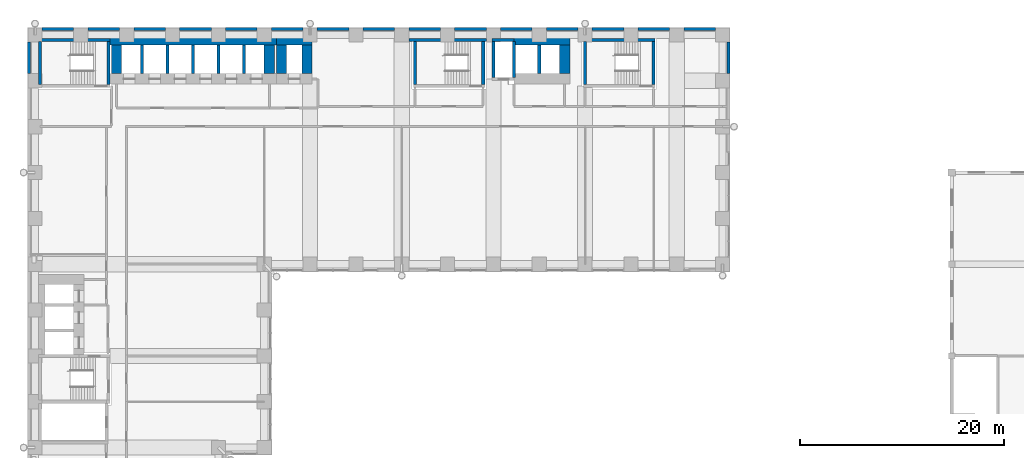
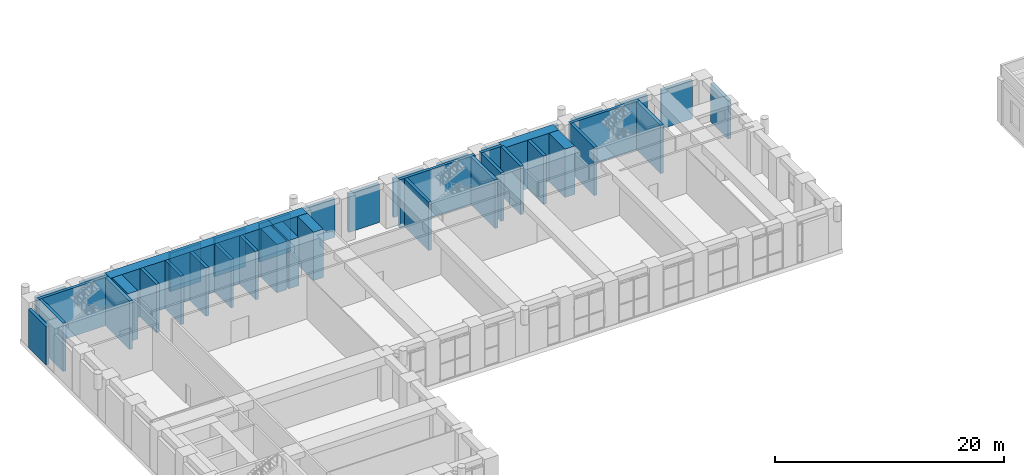
# One storey, part 25 of 35: 43 walls.
"""IFC4 building model written with IfcOpenShell, lengths in metres."""

from ifc_helpers import new_model, si_unit, direction, frame, frame_2d, origin, place, context, subcontext, project, spatial, rectangle, extrude, material, layer, layer_set, type_object, element, save


model = new_model("IFC4")

# Units and contexts
model_context = context("Model", 3, precision=1e-05, world=origin(), true_north=direction((0.0, 1.0)))
body_context = subcontext(model_context, "Body", "Model", "MODEL_VIEW")
ifc_project = project(units=[si_unit("LENGTHUNIT", "METRE"), si_unit("AREAUNIT", "SQUARE_METRE"), si_unit("VOLUMEUNIT", "CUBIC_METRE"), si_unit("PLANEANGLEUNIT", "RADIAN"), si_unit("MASSUNIT", "GRAM", prefix="KILO")], contexts=[model_context])

# Site, building, storey
site_placement = place(None, origin())
site = spatial("IfcSite", under=ifc_project, at=site_placement, CompositionType="ELEMENT")
building_placement = place(site_placement, origin())
building = spatial("IfcBuilding", under=site, at=building_placement, Name="Firuza Court", CompositionType="ELEMENT")
storey_placement = place(building_placement, frame((0.0, 0.0, 24.0)))
storey = spatial("IfcBuildingStorey", under=building, at=storey_placement, Name="L04", CompositionType="ELEMENT", Elevation=24.0)

# Walls
ifc_material_1 = material(Name="Concrete C60/75", Category="concrete")
ifc_layer_1 = layer(ifc_material_1, 1.0)
ifc_layer_set_1 = layer_set([ifc_layer_1], Name="Concrete C60/75")
wall_type_1 = type_object("IfcWallType", Name="Core wall 1000 C60/75", PredefinedType="SHEAR", material=ifc_layer_set_1)
wall_1_placement = place(storey_placement, frame((7.35009765625, 58.0, -0.449951171875), z_axis=(0.0, 0.0, 1.0), x_axis=(1.0, 0.0, 0.0)))
element("IfcWall", 1, at=wall_1_placement, inside=storey, type_object=wall_type_1, Name="Core wall lift shaft L04", PredefinedType="SHEAR", context=body_context, shape_type="SweptSolid", body=[
    extrude(rectangle(XDim=16.349853515625, YDim=1.0, at=frame_2d((8.1748046875, 0.0))), origin(), (0.0, 0.0, 1.0), 5.14990234375),
])
for number, where, z_axis, x_axis, name in (
    (2, (8.0, 54.699951171875, -0.449951171875), (0.0, 0.0, 1.0), (0.0, 1.0, 0.0), "Core wall lift shaft L04"),
    (3, (23.0, 54.699951171875, -0.449951171875), (0.0, 0.0, 1.0), (0.0, 1.0, 0.0), "Core wall lift shaft L04"),
):
    element("IfcWall", number, at=place(storey_placement, frame(where, z_axis=z_axis, x_axis=x_axis)), inside=storey, type_object=wall_type_1, Name=name, PredefinedType="SHEAR", context=body_context, shape_type="SweptSolid", body=[
        extrude(rectangle(XDim=2.800048828125, YDim=1.0, at=frame_2d((1.39990234375, 0.0))), origin(), (0.0, 0.0, 1.0), 5.14990234375),
    ])
wall_2_placement = place(storey_placement, frame((23.699951171875, 58.0, -0.449951171875), z_axis=(0.0, 0.0, 1.0), x_axis=(1.0, 0.0, 0.0)))
element("IfcWall", 4, at=wall_2_placement, inside=storey, type_object=wall_type_1, Name="Core wall lift shaft L04", PredefinedType="SHEAR", context=body_context, shape_type="SweptSolid", body=[
    extrude(rectangle(XDim=3.5, YDim=1.0, at=frame_2d((1.75, 0.0))), origin(), (0.0, 0.0, 1.0), 5.14990234375),
])
for number, where, z_axis, x_axis, name in (
    (5, (24.199951171875, 54.699951171875, -0.449951171875), (0.0, 0.0, 1.0), (0.0, 1.0, 0.0), "Core wall lift shaft L04"),
    (6, (26.699951171875, 54.699951171875, -0.449951171875), (0.0, 0.0, 1.0), (0.0, 1.0, 0.0), "Core wall lift shaft L04"),
):
    element("IfcWall", number, at=place(storey_placement, frame(where, z_axis=z_axis, x_axis=x_axis)), inside=storey, type_object=wall_type_1, Name=name, PredefinedType="SHEAR", context=body_context, shape_type="SweptSolid", body=[
        extrude(rectangle(XDim=2.800048828125, YDim=1.0, at=frame_2d((1.39990234375, 0.0))), origin(), (0.0, 0.0, 1.0), 5.14990234375),
    ])
wall_3_placement = place(storey_placement, frame((47.0, 58.0, -0.449951171875), z_axis=(0.0, 0.0, 1.0), x_axis=(1.0, 0.0, 0.0)))
element("IfcWall", 7, at=wall_3_placement, inside=storey, type_object=wall_type_1, Name="Core wall lift shaft L04", PredefinedType="SHEAR", context=body_context, shape_type="SweptSolid", body=[
    extrude(rectangle(XDim=5.5, YDim=1.0, at=frame_2d((2.75, 0.0))), origin(), (0.0, 0.0, 1.0), 5.14990234375),
])
wall_4_placement = place(storey_placement, frame((52.0, 54.699951171875, -0.449951171875), z_axis=(0.0, 0.0, 1.0), x_axis=(0.0, 1.0, 0.0)))
element("IfcWall", 8, at=wall_4_placement, inside=storey, type_object=wall_type_1, Name="Core wall lift shaft L04", PredefinedType="SHEAR", context=body_context, shape_type="SweptSolid", body=[
    extrude(rectangle(XDim=2.800048828125, YDim=1.0, at=frame_2d((1.39990234375, 0.0))), origin(), (0.0, 0.0, 1.0), 5.14990234375),
])
ifc_layer_2 = layer(ifc_material_1, 0.300048828125)
ifc_layer_set_2 = layer_set([ifc_layer_2], Name="Concrete C60/75")
wall_type_2 = type_object("IfcWallType", Name="Core wall 300 C60/75", PredefinedType="SHEAR", material=ifc_layer_set_2)
wall_5_placement = place(storey_placement, frame((0.35009765625, 58.0, -0.449951171875), z_axis=(0.0, 0.0, 1.0), x_axis=(1.0, 0.0, 0.0)))
element("IfcWall", 9, at=wall_5_placement, inside=storey, type_object=wall_type_2, Name="Core wall stair L04", PredefinedType="SHEAR", context=body_context, shape_type="SweptSolid", body=[
    extrude(rectangle(XDim=7.0, YDim=0.300048828125, at=frame_2d((3.5, 0.0))), origin(), (0.0, 0.0, 1.0), 5.14990234375),
])
for number, where, z_axis, x_axis, name in (
    (10, (0.5, 53.64990234375, -0.449951171875), (0.0, 0.0, 1.0), (0.0, 1.0, 0.0), "Core wall stair L04"),
    (11, (7.199951171875, 53.64990234375, -0.449951171875), (0.0, 0.0, 1.0), (0.0, 1.0, 0.0), "Core wall stair L04"),
):
    element("IfcWall", number, at=place(storey_placement, frame(where, z_axis=z_axis, x_axis=x_axis)), inside=storey, type_object=wall_type_2, Name=name, PredefinedType="SHEAR", context=body_context, shape_type="SweptSolid", body=[
        extrude(rectangle(XDim=4.2001953125, YDim=0.300048828125, at=frame_2d((2.10009765625, 0.0))), origin(), (0.0, 0.0, 1.0), 5.14990234375),
    ])
for number, where, z_axis, x_axis, name in (
    (12, (10.5, 54.699951171875, -0.449951171875), (0.0, 0.0, 1.0), (0.0, 1.0, 0.0), "Core wall lift shaft L04"),
    (13, (13.0, 54.699951171875, -0.449951171875), (0.0, 0.0, 1.0), (0.0, 1.0, 0.0), "Core wall lift shaft L04"),
    (14, (15.5, 54.699951171875, -0.449951171875), (0.0, 0.0, 1.0), (0.0, 1.0, 0.0), "Core wall lift shaft L04"),
    (15, (18.0, 54.699951171875, -0.449951171875), (0.0, 0.0, 1.0), (0.0, 1.0, 0.0), "Core wall lift shaft L04"),
    (16, (20.5, 54.699951171875, -0.449951171875), (0.0, 0.0, 1.0), (0.0, 1.0, 0.0), "Core wall lift shaft L04"),
):
    element("IfcWall", number, at=place(storey_placement, frame(where, z_axis=z_axis, x_axis=x_axis)), inside=storey, type_object=wall_type_2, Name=name, PredefinedType="SHEAR", context=body_context, shape_type="SweptSolid", body=[
        extrude(rectangle(XDim=2.800048828125, YDim=0.300048828125, at=frame_2d((1.39990234375, 0.0))), origin(), (0.0, 0.0, 1.0), 5.14990234375),
    ])
wall_6_placement = place(storey_placement, frame((36.699951171875, 58.0, -0.449951171875), z_axis=(0.0, 0.0, 1.0), x_axis=(1.0, 0.0, 0.0)))
element("IfcWall", 17, at=wall_6_placement, inside=storey, type_object=wall_type_2, Name="Core wall stair L04", PredefinedType="SHEAR", context=body_context, shape_type="SweptSolid", body=[
    extrude(rectangle(XDim=7.60009765625, YDim=0.300048828125, at=frame_2d((3.800048828125, 0.0))), origin(), (0.0, 0.0, 1.0), 5.14990234375),
])
for number, where, z_axis, x_axis, name in (
    (18, (37.300048828125, 53.64990234375, -0.449951171875), (0.0, 0.0, 1.0), (0.0, 1.0, 0.0), "Core wall stair L04"),
    (19, (44.0, 53.64990234375, -0.449951171875), (0.0, 0.0, 1.0), (0.0, 1.0, 0.0), "Core wall stair L04"),
):
    element("IfcWall", number, at=place(storey_placement, frame(where, z_axis=z_axis, x_axis=x_axis)), inside=storey, type_object=wall_type_2, Name=name, PredefinedType="SHEAR", context=body_context, shape_type="SweptSolid", body=[
        extrude(rectangle(XDim=4.2001953125, YDim=0.300048828125, at=frame_2d((2.10009765625, 0.0))), origin(), (0.0, 0.0, 1.0), 5.14990234375),
    ])
wall_7_placement = place(storey_placement, frame((44.85009765625, 58.0, -0.449951171875), z_axis=(0.0, 0.0, 1.0), x_axis=(1.0, 0.0, 0.0)))
element("IfcWall", 20, at=wall_7_placement, inside=storey, type_object=wall_type_2, Name="Core wall riser L04", PredefinedType="SHEAR", context=body_context, shape_type="SweptSolid", body=[
    extrude(rectangle(XDim=2.14990234375, YDim=0.300048828125, at=frame_2d((1.074951171875, 0.0))), origin(), (0.0, 0.0, 1.0), 5.14990234375),
])
for number, where, z_axis, x_axis, name in (
    (21, (45.0, 54.35009765625, -0.449951171875), (0.0, 0.0, 1.0), (0.0, 1.0, 0.0), "Core wall riser L04"),
    (22, (47.0, 54.35009765625, -0.449951171875), (0.0, 0.0, 1.0), (0.0, 1.0, 0.0), "Core wall lift shaft L04"),
):
    element("IfcWall", number, at=place(storey_placement, frame(where, z_axis=z_axis, x_axis=x_axis)), inside=storey, type_object=wall_type_2, Name=name, PredefinedType="SHEAR", context=body_context, shape_type="SweptSolid", body=[
        extrude(rectangle(XDim=3.5, YDim=0.300048828125, at=frame_2d((1.75, 0.0))), origin(), (0.0, 0.0, 1.0), 5.14990234375),
    ])
wall_8_placement = place(storey_placement, frame((49.5, 54.699951171875, -0.449951171875), z_axis=(0.0, 0.0, 1.0), x_axis=(0.0, 1.0, 0.0)))
element("IfcWall", 23, at=wall_8_placement, inside=storey, type_object=wall_type_2, Name="Core wall lift shaft L04", PredefinedType="SHEAR", context=body_context, shape_type="SweptSolid", body=[
    extrude(rectangle(XDim=2.800048828125, YDim=0.300048828125, at=frame_2d((1.39990234375, 0.0))), origin(), (0.0, 0.0, 1.0), 5.14990234375),
])
wall_9_placement = place(storey_placement, frame((53.85009765625, 58.0, -0.449951171875), z_axis=(0.0, 0.0, 1.0), x_axis=(1.0, 0.0, 0.0)))
element("IfcWall", 24, at=wall_9_placement, inside=storey, type_object=wall_type_2, Name="Core wall stair L04", PredefinedType="SHEAR", context=body_context, shape_type="SweptSolid", body=[
    extrude(rectangle(XDim=7.0, YDim=0.300048828125, at=frame_2d((3.5, 0.0))), origin(), (0.0, 0.0, 1.0), 5.14990234375),
])
for number, where, z_axis, x_axis, name in (
    (25, (54.0, 53.64990234375, -0.449951171875), (0.0, 0.0, 1.0), (0.0, 1.0, 0.0), "Core wall stair L04"),
    (26, (60.699951171875, 53.64990234375, -0.449951171875), (0.0, 0.0, 1.0), (0.0, 1.0, 0.0), "Core wall stair L04"),
):
    element("IfcWall", number, at=place(storey_placement, frame(where, z_axis=z_axis, x_axis=x_axis)), inside=storey, type_object=wall_type_2, Name=name, PredefinedType="SHEAR", context=body_context, shape_type="SweptSolid", body=[
        extrude(rectangle(XDim=4.2001953125, YDim=0.300048828125, at=frame_2d((2.10009765625, 0.0))), origin(), (0.0, 0.0, 1.0), 5.14990234375),
    ])
ifc_material_2 = material(Name="Ceramic tile", Category="ceramic")
ifc_layer_3 = layer(ifc_material_2, 0.02001953125)
ifc_material_3 = material(Name="Mineral wool insulation", Category="insulation")
ifc_layer_4 = layer(ifc_material_3, 0.1298828125)
ifc_material_4 = material(Name="Concrete C40/50 precast", Category="concrete")
ifc_layer_5 = layer(ifc_material_4, 0.14990234375)
ifc_layer_set_3 = layer_set([ifc_layer_3, ifc_layer_4, ifc_layer_5], Name="Concrete C40/50 precast")
wall_type_3 = type_object("IfcWallType", Name="Precast spandrel wall with turquoise TILE PANEL face 300", PredefinedType="STANDARD", material=ifc_layer_set_3)
for number, where, z_axis, x_axis, name in (
    (27, (68.10009765625, 54.699951171875, 0.0), (0.0, 0.0, 1.0), (0.0, 1.0, 0.0), "Facade wall L04 E"),
    (28, (66.800048828125, 59.10009765625, 0.0), (0.0, 0.0, 1.0), (-1.0, 0.0, 0.0), "Facade wall L04 N"),
    (29, (62.300048828125, 59.10009765625, 0.0), (0.0, 0.0, 1.0), (-1.0, 0.0, 0.0), "Facade wall L04 N"),
    (30, (57.800048828125, 59.10009765625, 0.0), (0.0, 0.0, 1.0), (-1.0, 0.0, 0.0), "Facade wall L04 N"),
    (31, (53.300048828125, 59.10009765625, 0.0), (0.0, 0.0, 1.0), (-1.0, 0.0, 0.0), "Facade wall L04 N"),
    (32, (48.800048828125, 59.10009765625, 0.0), (0.0, 0.0, 1.0), (-1.0, 0.0, 0.0), "Facade wall L04 N"),
    (33, (44.300048828125, 59.10009765625, 0.0), (0.0, 0.0, 1.0), (-1.0, 0.0, 0.0), "Facade wall L04 N"),
    (34, (39.800048828125, 59.10009765625, 0.0), (0.0, 0.0, 1.0), (-1.0, 0.0, 0.0), "Facade wall L04 N"),
    (35, (35.300048828125, 59.10009765625, 0.0), (0.0, 0.0, 1.0), (-1.0, 0.0, 0.0), "Facade wall L04 N"),
    (36, (30.800048828125, 59.10009765625, 0.0), (0.0, 0.0, 1.0), (-1.0, 0.0, 0.0), "Facade wall L04 N"),
    (37, (26.300048828125, 59.10009765625, 0.0), (0.0, 0.0, 1.0), (-1.0, 0.0, 0.0), "Facade wall L04 N"),
    (38, (21.800048828125, 59.10009765625, 0.0), (0.0, 0.0, 1.0), (-1.0, 0.0, 0.0), "Facade wall L04 N"),
    (39, (17.300048828125, 59.10009765625, 0.0), (0.0, 0.0, 1.0), (-1.0, 0.0, 0.0), "Facade wall L04 N"),
    (40, (12.800048828125, 59.10009765625, 0.0), (0.0, 0.0, 1.0), (-1.0, 0.0, 0.0), "Facade wall L04 N"),
    (41, (8.300048828125, 59.10009765625, 0.0), (0.0, 0.0, 1.0), (-1.0, 0.0, 0.0), "Facade wall L04 N"),
    (42, (3.800048828125, 59.10009765625, 0.0), (0.0, 0.0, 1.0), (-1.0, 0.0, 0.0), "Facade wall L04 N"),
    (43, (-0.60009765625, 57.800048828125, 0.0), (0.0, 0.0, 1.0), (0.0, -1.0, 0.0), "Facade wall L04 W"),
):
    element("IfcWall", number, at=place(storey_placement, frame(where, z_axis=z_axis, x_axis=x_axis)), inside=storey, type_object=wall_type_3, Name=name, PredefinedType="STANDARD", context=body_context, shape_type="SweptSolid", body=[
        extrude(rectangle(XDim=3.10009765625, YDim=0.300048828125, at=frame_2d((1.550048828125, 0.0))), origin(), (0.0, 0.0, 1.0), 4.10009765625),
    ])

save(model, "model.ifc")
